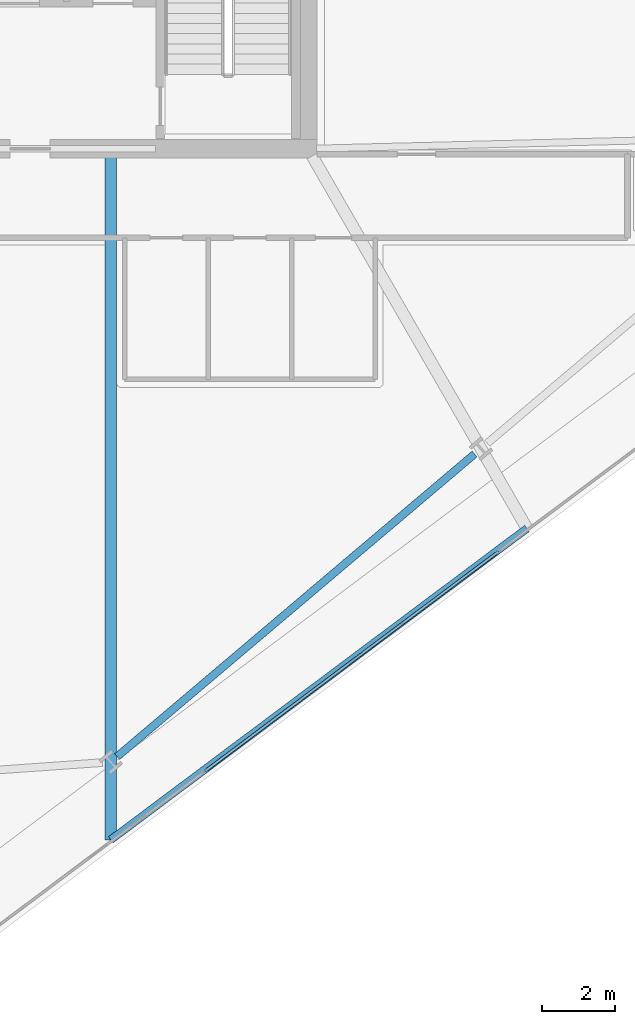
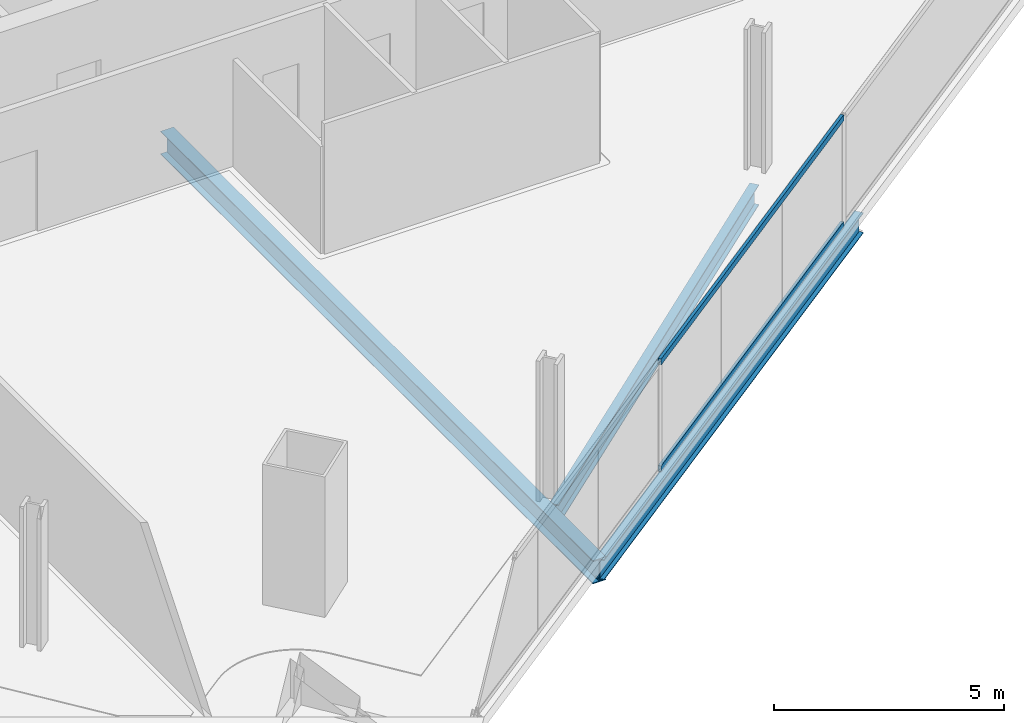
# One storey, part 7 of 32: 3 beams, 2 members, 1 element without a shape of its own.
"""IFC4 building model written with IfcOpenShell, lengths in metres."""

from ifc_helpers import new_model, si_unit, direction, frame, origin, origin_2d, place, context, subcontext, project, spatial, hollow_rectangle, i_section, extrude, material, material_profile, profile_set, type_object, element, aggregate, save


model = new_model("IFC4")

# Units and contexts
model_context = context("Model", 3, precision=1e-05, world=origin(), true_north=direction((0.0, 1.0)))
body_context = subcontext(model_context, "Body", "Model", "MODEL_VIEW")
ifc_project = project(units=[si_unit("LENGTHUNIT", "METRE"), si_unit("AREAUNIT", "SQUARE_METRE"), si_unit("VOLUMEUNIT", "CUBIC_METRE"), si_unit("PLANEANGLEUNIT", "RADIAN"), si_unit("MASSUNIT", "GRAM", prefix="KILO")], contexts=[model_context])

# Site, building, storey
site_placement = place(None, origin())
site = spatial("IfcSite", under=ifc_project, at=site_placement, CompositionType="ELEMENT")
building_placement = place(site_placement, origin())
building = spatial("IfcBuilding", under=site, at=building_placement, Name="Haldenkirk Collegiate Tower", CompositionType="ELEMENT")
storey_placement = place(building_placement, frame((0.0, 0.0, 151.949951171875)))
storey = spatial("IfcBuildingStorey", under=building, at=storey_placement, Name="L37", CompositionType="ELEMENT", Elevation=151.949951171875)

# Beams
ifc_material_1 = material(Name="Steel ASTM A992 Grade 50", Category="steel")
ifc_material_profile_1 = material_profile(ifc_material_1, i_section(OverallWidth=0.324951171875, OverallDepth=0.615966796875, WebThickness=0.013916015625, FlangeThickness=0.021484375, at=origin_2d()), Name="W24X117")
ifc_profile_set_1 = profile_set([ifc_material_profile_1], Name="Steel ASTM A992 Grade 50")
beam_type_1 = type_object("IfcBeamType", Name="BM-GIRDER-W24X117", PredefinedType="BEAM", material=ifc_profile_set_1)
beam_1_placement = place(storey_placement, frame((39.568603515625, -1.0283203125, -0.597900390625), z_axis=(0.0, 1.0, 0.0), x_axis=(-1.0, 0.0, 0.0)))
element("IfcBeam", 1, at=beam_1_placement, inside=storey, type_object=beam_type_1, Name="L37 primary floor girder 05", PredefinedType="BEAM", context=body_context, shape_type="SweptSolid", body=[
    extrude(i_section(OverallWidth=0.324951171875, OverallDepth=0.615966796875, WebThickness=0.013916015625, FlangeThickness=0.021484375, at=origin_2d()), origin(), (0.0, 0.0, 1.0), 18.79833984375),
])
ifc_material_profile_2 = material_profile(ifc_material_1, i_section(OverallWidth=0.2119140625, OverallDepth=0.5439453125, WebThickness=0.01318359375, FlangeThickness=0.021240234375, at=origin_2d()), Name="W21X83")
ifc_profile_set_2 = profile_set([ifc_material_profile_2], Name="Steel ASTM A992 Grade 50")
beam_type_2 = type_object("IfcBeamType", Name="BM-SPANDREL-W21X83", PredefinedType="SPANDREL", material=ifc_profile_set_2)
beam_2_placement = place(storey_placement, frame((39.743408203125, 1.261474609375, -0.56201171875), z_axis=(0.763233335078, 0.646122957514, 0.0), x_axis=(-0.646122957514, 0.763233335078, 0.0)))
element("IfcBeam", 2, at=beam_2_placement, inside=storey, type_object=beam_type_2, Name="L37 perimeter spandrel beam 02", PredefinedType="SPANDREL", context=body_context, shape_type="SweptSolid", body=[
    extrude(i_section(OverallWidth=0.2119140625, OverallDepth=0.5439453125, WebThickness=0.01318359375, FlangeThickness=0.021240234375, at=origin_2d()), origin(), (0.0, 0.0, 1.0), 12.898193359375),
])
beam_3_placement = place(storey_placement, frame((39.568603515625, -1.0283203125, -0.56201171875), z_axis=(0.800726028104, 0.599030740377, 0.0), x_axis=(-0.599030740377, 0.800726028104, 0.0)))
element("IfcBeam", 3, at=beam_3_placement, inside=storey, type_object=beam_type_2, Name="L37 outer facade edge beam 1", PredefinedType="SPANDREL", context=body_context, shape_type="SweptSolid", body=[
    extrude(i_section(OverallWidth=0.2119140625, OverallDepth=0.5439453125, WebThickness=0.01318359375, FlangeThickness=0.021240234375, at=origin_2d()), origin(), (0.0, 0.0, 1.0), 14.3134765625),
])

# Curtain wall, members
ifc_material_2 = material(Name="Anodised architectural bronze aluminium", Category="aluminium")
curtain_wall_type = type_object("IfcCurtainWallType", Name="CW-SYS2-CONCAVE", PredefinedType="USERDEFINED", material=ifc_material_2)
curtain_wall_placement = place(storey_placement, origin())
curtain_wall = element("IfcCurtainWall", 4, at=curtain_wall_placement, inside=storey, type_object=curtain_wall_type, Name="L37 South concave recessed bronze-anodised curtain wall", ObjectType="UNITISED CURTAIN WALL", PredefinedType="USERDEFINED")
ifc_material_profile_3 = material_profile(ifc_material_2, hollow_rectangle(XDim=0.074951171875, YDim=0.159912109375, WallThickness=0.0048828125, at=origin_2d()), Name="CW-TRN-02")
ifc_profile_set_3 = profile_set([ifc_material_profile_3], Name="Anodised architectural bronze aluminium")
member_type = type_object("IfcMemberType", Name="CW-TRN-02", PredefinedType="USERDEFINED", material=ifc_profile_set_3)
member_1_placement = place(storey_placement, frame((50.23876953125, 6.904052734375, 0.03759765625), z_axis=(-0.800732188176, -0.599022506104, 0.0), x_axis=(0.599022506104, -0.800732188176, 0.0)))
member_1 = element("IfcMember", 5, at=member_1_placement, type_object=member_type, Name="CW-02 transom 3.1", ObjectType="TRANSOM", PredefinedType="USERDEFINED", context=body_context, shape_type="SweptSolid", body=[
    extrude(hollow_rectangle(XDim=0.074951171875, YDim=0.159912109375, WallThickness=0.0048828125, at=origin_2d()), origin(), (0.0, 0.0, 1.0), 10.074951171875),
])
member_2_placement = place(storey_placement, frame((50.23876953125, 6.904052734375, 2.87353515625), z_axis=(-0.800732188176, -0.599022506104, 0.0), x_axis=(0.599022506104, -0.800732188176, 0.0)))
member_2 = element("IfcMember", 6, at=member_2_placement, type_object=member_type, Name="CW-02 transom 3.2", ObjectType="TRANSOM", PredefinedType="USERDEFINED", context=body_context, shape_type="SweptSolid", body=[
    extrude(hollow_rectangle(XDim=0.074951171875, YDim=0.159912109375, WallThickness=0.0048828125, at=origin_2d()), origin(), (0.0, 0.0, 1.0), 10.074951171875),
])
aggregate(curtain_wall, [member_1, member_2])

save(model, "model.ifc")
